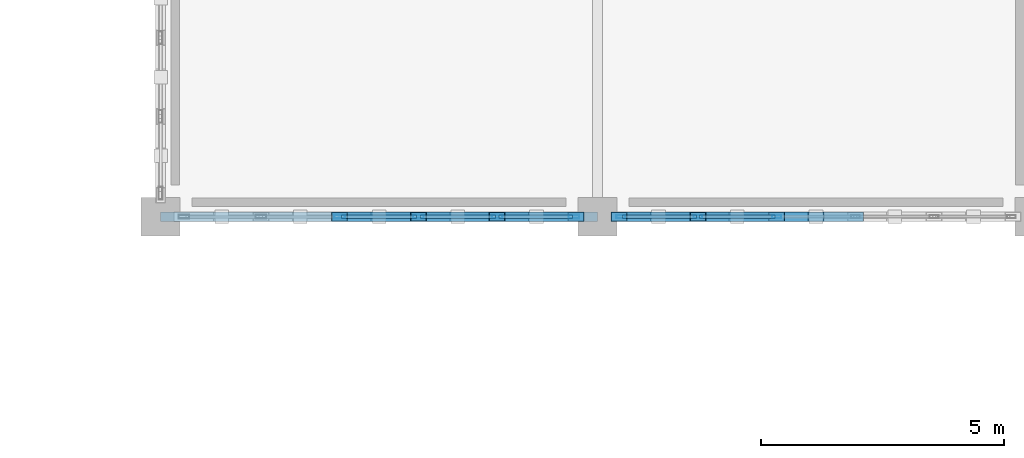
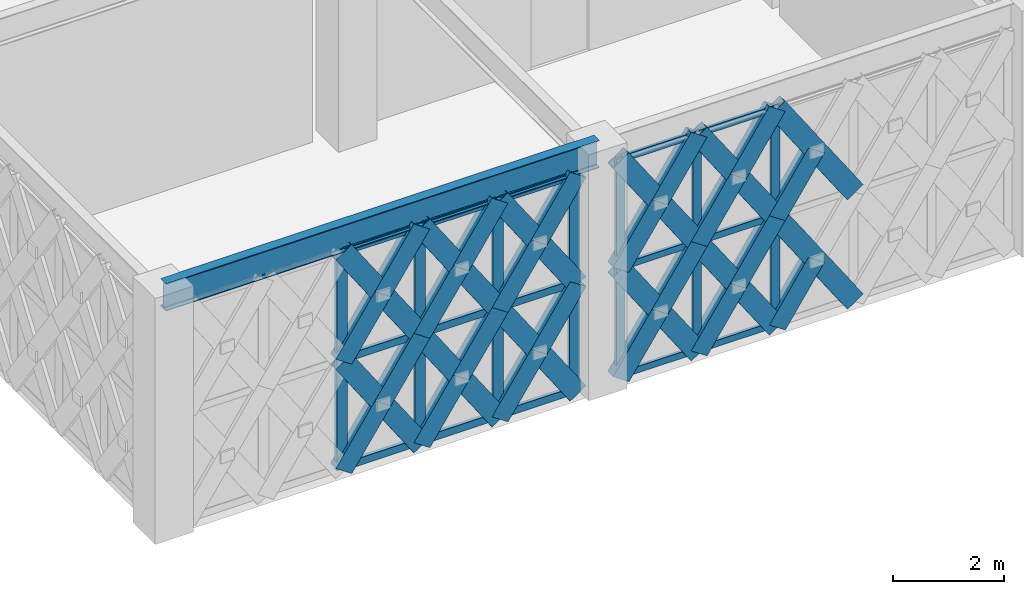
# One storey, part 10 of 86: 56 members, 1 beam, 2 elements without a shape of their own.
"""IFC4 building model written with IfcOpenShell, lengths in metres."""

from ifc_helpers import new_model, si_unit, direction, frame, origin, origin_2d, place, context, subcontext, project, spatial, hollow_rectangle, i_section, extrude, material, material_profile, profile_set, type_object, element, aggregate, save


model = new_model("IFC4")

# Units and contexts
model_context = context("Model", 3, precision=1e-05, world=origin(), true_north=direction((0.0, 1.0)))
body_context = subcontext(model_context, "Body", "Model", "MODEL_VIEW")
ifc_project = project(units=[si_unit("LENGTHUNIT", "METRE"), si_unit("AREAUNIT", "SQUARE_METRE"), si_unit("VOLUMEUNIT", "CUBIC_METRE"), si_unit("PLANEANGLEUNIT", "RADIAN"), si_unit("MASSUNIT", "GRAM", prefix="KILO")], contexts=[model_context])

# Site, building, storey
site_placement = place(None, origin())
site = spatial("IfcSite", under=ifc_project, at=site_placement, CompositionType="ELEMENT")
building_placement = place(site_placement, origin())
building = spatial("IfcBuilding", under=site, at=building_placement, Name="Haizhuo Lancet Aquarium", CompositionType="ELEMENT")
storey_placement = place(building_placement, frame((0.0, 0.0, 16.199951171875)))
storey = spatial("IfcBuildingStorey", under=building, at=storey_placement, Name="L03", CompositionType="ELEMENT", Elevation=16.199951171875)

# Beam
ifc_material_1 = material(Name="Steel S355", Category="steel")
ifc_material_profile_1 = material_profile(ifc_material_1, i_section(OverallWidth=0.199951171875, OverallDepth=0.60009765625, WebThickness=0.010986328125, FlangeThickness=0.01708984375, FilletRadius=0.02197265625, at=origin_2d()), Name="HN 600x200x11x17")
ifc_profile_set_1 = profile_set([ifc_material_profile_1], Name="Steel S355")
beam_type = type_object("IfcBeamType", Name="BM-ST-HN600", PredefinedType="BEAM", material=ifc_profile_set_1)
beam_placement = place(storey_placement, frame((-54.0, -36.0, 5.10009765625), z_axis=(1.0, 0.0, 0.0), x_axis=(0.0, 1.0, 0.0)))
element("IfcBeam", 1, at=beam_placement, inside=storey, type_object=beam_type, Name="L03 V6 primary girder BM-L03-V6-015", PredefinedType="BEAM", context=body_context, shape_type="SweptSolid", body=[
    extrude(i_section(OverallWidth=0.199951171875, OverallDepth=0.60009765625, WebThickness=0.010986328125, FlangeThickness=0.01708984375, FilletRadius=0.02197265625, at=origin_2d()), origin(), (0.0, 0.0, 1.0), 9.0),
])

# Curtain wall, members
ifc_material_2 = material(Name="Aluminium 6063-T6", Category="aluminium")
curtain_wall_type = type_object("IfcCurtainWallType", Name="CWD-8110x4800", PredefinedType="NOTDEFINED", material=ifc_material_2)
curtain_wall_1_placement = place(storey_placement, origin())
curtain_wall_1 = element("IfcCurtainWall", 2, at=curtain_wall_1_placement, inside=storey, type_object=curtain_wall_type, Name="L03 curtain wall CW-V6-L03-238", PredefinedType="NOTDEFINED")
ifc_material_profile_2 = material_profile(ifc_material_2, hollow_rectangle(XDim=0.06494140625, YDim=0.179931640625, WallThickness=0.00390625, at=origin_2d()), Name="ALU-M 65x180x4")
ifc_profile_set_2 = profile_set([ifc_material_profile_2], Name="Aluminium 6063-T6")
member_type_1 = type_object("IfcMemberType", Name="CW-MUL-1", PredefinedType="MULLION", material=ifc_profile_set_2)
member_1_placement = place(storey_placement, frame((-41.31103515625, -36.0, 0.0), z_axis=(0.0, 0.0, 1.0), x_axis=(0.0, -1.0, 0.0)))
member_1 = element("IfcMember", 3, at=member_1_placement, type_object=member_type_1, Name="CWD-81x48 mullion 4", PredefinedType="MULLION", context=body_context, shape_type="SweptSolid", body=[
    extrude(hollow_rectangle(XDim=0.06494140625, YDim=0.179931640625, WallThickness=0.00390625, at=origin_2d()), origin(), (0.0, 0.0, 1.0), 4.800048828125),
])
member_2_placement = place(storey_placement, frame((-42.93310546875, -36.0, 0.0), z_axis=(0.0, 0.0, 1.0), x_axis=(0.0, -1.0, 0.0)))
member_2 = element("IfcMember", 4, at=member_2_placement, type_object=member_type_1, Name="CWD-81x48 mullion 5", PredefinedType="MULLION", context=body_context, shape_type="SweptSolid", body=[
    extrude(hollow_rectangle(XDim=0.06494140625, YDim=0.179931640625, WallThickness=0.00390625, at=origin_2d()), origin(), (0.0, 0.0, 1.0), 4.800048828125),
])
member_3_placement = place(storey_placement, frame((-44.52294921875, -36.0, 0.0), z_axis=(0.0, 0.0, 1.0), x_axis=(0.0, -1.0, 0.0)))
member_3 = element("IfcMember", 5, at=member_3_placement, type_object=member_type_1, Name="CWD-81x48 mullion 6", PredefinedType="MULLION", context=body_context, shape_type="SweptSolid", body=[
    extrude(hollow_rectangle(XDim=0.06494140625, YDim=0.179931640625, WallThickness=0.00390625, at=origin_2d()), origin(), (0.0, 0.0, 1.0), 4.800048828125),
])

curtain_wall_2_placement = place(storey_placement, origin())
curtain_wall_2 = element("IfcCurtainWall", 6, at=curtain_wall_2_placement, inside=storey, type_object=curtain_wall_type, Name="L03 curtain wall CW-V6-L03-239", PredefinedType="NOTDEFINED")
ifc_material_profile_3 = material_profile(ifc_material_2, hollow_rectangle(XDim=0.074951171875, YDim=0.219970703125, WallThickness=0.0048828125, at=origin_2d()), Name="ALU-M 75x220x5")
ifc_profile_set_3 = profile_set([ifc_material_profile_3], Name="Aluminium 6063-T6")
member_type_2 = type_object("IfcMemberType", Name="CW-MUL-2", PredefinedType="MULLION", material=ifc_profile_set_3)
member_4_placement = place(storey_placement, frame((-45.48291015625, -36.0, 0.0), z_axis=(0.0, 0.0, 1.0), x_axis=(0.0, -1.0, 0.0)))
member_4 = element("IfcMember", 7, at=member_4_placement, type_object=member_type_2, Name="CWD-81x48 mullion 1", PredefinedType="MULLION", context=body_context, shape_type="SweptSolid", body=[
    extrude(hollow_rectangle(XDim=0.074951171875, YDim=0.219970703125, WallThickness=0.0048828125, at=origin_2d()), origin(), (0.0, 0.0, 1.0), 4.800048828125),
])
member_5_placement = place(storey_placement, frame((-47.06689453125, -36.0, 0.0), z_axis=(0.0, 0.0, 1.0), x_axis=(0.0, -1.0, 0.0)))
member_5 = element("IfcMember", 8, at=member_5_placement, type_object=member_type_2, Name="CWD-81x48 mullion 2", PredefinedType="MULLION", context=body_context, shape_type="SweptSolid", body=[
    extrude(hollow_rectangle(XDim=0.074951171875, YDim=0.219970703125, WallThickness=0.0048828125, at=origin_2d()), origin(), (0.0, 0.0, 1.0), 4.800048828125),
])
member_6_placement = place(storey_placement, frame((-48.68896484375, -36.0, 0.0), z_axis=(0.0, 0.0, 1.0), x_axis=(0.0, -1.0, 0.0)))
member_6 = element("IfcMember", 9, at=member_6_placement, type_object=member_type_2, Name="CWD-81x48 mullion 3", PredefinedType="MULLION", context=body_context, shape_type="SweptSolid", body=[
    extrude(hollow_rectangle(XDim=0.074951171875, YDim=0.219970703125, WallThickness=0.0048828125, at=origin_2d()), origin(), (0.0, 0.0, 1.0), 4.800048828125),
])
member_7_placement = place(storey_placement, frame((-50.31103515625, -36.0, 0.0), z_axis=(0.0, 0.0, 1.0), x_axis=(0.0, -1.0, 0.0)))
member_7 = element("IfcMember", 10, at=member_7_placement, type_object=member_type_2, Name="CWD-81x48 mullion 4", PredefinedType="MULLION", context=body_context, shape_type="SweptSolid", body=[
    extrude(hollow_rectangle(XDim=0.074951171875, YDim=0.219970703125, WallThickness=0.0048828125, at=origin_2d()), origin(), (0.0, 0.0, 1.0), 4.800048828125),
])

# Member
ifc_material_profile_4 = material_profile(ifc_material_2, hollow_rectangle(XDim=0.06494140625, YDim=0.139892578125, WallThickness=0.00390625, at=origin_2d()), Name="ALU-T 65x140x4")
ifc_profile_set_4 = profile_set([ifc_material_profile_4], Name="Aluminium 6063-T6")
member_type_3 = type_object("IfcMemberType", Name="CW-TRN-1", PredefinedType="NOTDEFINED", material=ifc_profile_set_4)
member_8_placement = place(storey_placement, frame((-41.343017578125, -36.0, 0.031982421875), z_axis=(-1.0, 0.0, 0.0), x_axis=(0.0, -1.0, 0.0)))
member_8 = element("IfcMember", 11, at=member_8_placement, type_object=member_type_3, Name="CWD-81x48 transom 4.1", ObjectType="TRANSOM", PredefinedType="USERDEFINED", context=body_context, shape_type="SweptSolid", body=[
    extrude(hollow_rectangle(XDim=0.06494140625, YDim=0.139892578125, WallThickness=0.00390625, at=origin_2d()), origin(), (0.0, 0.0, 1.0), 1.557861328125),
])

member_9_placement = place(storey_placement, frame((-41.343017578125, -36.0, 2.400146484375), z_axis=(-1.0, 0.0, 0.0), x_axis=(0.0, -1.0, 0.0)))
member_9 = element("IfcMember", 12, at=member_9_placement, type_object=member_type_3, Name="CWD-81x48 transom 4.2", ObjectType="TRANSOM", PredefinedType="USERDEFINED", context=body_context, shape_type="SweptSolid", body=[
    extrude(hollow_rectangle(XDim=0.06494140625, YDim=0.139892578125, WallThickness=0.00390625, at=origin_2d()), origin(), (0.0, 0.0, 1.0), 1.557861328125),
])

member_10_placement = place(storey_placement, frame((-41.343017578125, -36.0, 4.76806640625), z_axis=(-1.0, 0.0, 0.0), x_axis=(0.0, -1.0, 0.0)))
member_10 = element("IfcMember", 13, at=member_10_placement, type_object=member_type_3, Name="CWD-81x48 transom 4.3", ObjectType="TRANSOM", PredefinedType="USERDEFINED", context=body_context, shape_type="SweptSolid", body=[
    extrude(hollow_rectangle(XDim=0.06494140625, YDim=0.139892578125, WallThickness=0.00390625, at=origin_2d()), origin(), (0.0, 0.0, 1.0), 1.557861328125),
])

member_11_placement = place(storey_placement, frame((-42.965087890625, -36.0, 0.031982421875), z_axis=(-1.0, 0.0, 0.0), x_axis=(0.0, -1.0, 0.0)))
member_11 = element("IfcMember", 14, at=member_11_placement, type_object=member_type_3, Name="CWD-81x48 transom 5.1", ObjectType="TRANSOM", PredefinedType="USERDEFINED", context=body_context, shape_type="SweptSolid", body=[
    extrude(hollow_rectangle(XDim=0.06494140625, YDim=0.139892578125, WallThickness=0.00390625, at=origin_2d()), origin(), (0.0, 0.0, 1.0), 1.52490234375),
])

member_12_placement = place(storey_placement, frame((-42.965087890625, -36.0, 2.400146484375), z_axis=(-1.0, 0.0, 0.0), x_axis=(0.0, -1.0, 0.0)))
member_12 = element("IfcMember", 15, at=member_12_placement, type_object=member_type_3, Name="CWD-81x48 transom 5.2", ObjectType="TRANSOM", PredefinedType="USERDEFINED", context=body_context, shape_type="SweptSolid", body=[
    extrude(hollow_rectangle(XDim=0.06494140625, YDim=0.139892578125, WallThickness=0.00390625, at=origin_2d()), origin(), (0.0, 0.0, 1.0), 1.52490234375),
])

member_13_placement = place(storey_placement, frame((-42.965087890625, -36.0, 4.76806640625), z_axis=(-1.0, 0.0, 0.0), x_axis=(0.0, -1.0, 0.0)))
member_13 = element("IfcMember", 16, at=member_13_placement, type_object=member_type_3, Name="CWD-81x48 transom 5.3", ObjectType="TRANSOM", PredefinedType="USERDEFINED", context=body_context, shape_type="SweptSolid", body=[
    extrude(hollow_rectangle(XDim=0.06494140625, YDim=0.139892578125, WallThickness=0.00390625, at=origin_2d()), origin(), (0.0, 0.0, 1.0), 1.52490234375),
])

aggregate(curtain_wall_1, [member_1, member_2, member_3, member_8, member_9, member_10, member_11, member_12, member_13])

ifc_material_profile_5 = material_profile(ifc_material_2, hollow_rectangle(XDim=0.074951171875, YDim=0.159912109375, WallThickness=0.00390625, at=origin_2d()), Name="ALU-T 75x160x4")
ifc_profile_set_5 = profile_set([ifc_material_profile_5], Name="Aluminium 6063-T6")
member_type_4 = type_object("IfcMemberType", Name="CW-TRN-2", PredefinedType="NOTDEFINED", material=ifc_profile_set_5)
member_14_placement = place(storey_placement, frame((-45.52001953125, -36.0, 0.0380859375), z_axis=(-1.0, 0.0, 0.0), x_axis=(0.0, -1.0, 0.0)))
member_14 = element("IfcMember", 17, at=member_14_placement, type_object=member_type_4, Name="CWD-81x48 transom 1.1", ObjectType="TRANSOM", PredefinedType="USERDEFINED", context=body_context, shape_type="SweptSolid", body=[
    extrude(hollow_rectangle(XDim=0.074951171875, YDim=0.159912109375, WallThickness=0.00390625, at=origin_2d()), origin(), (0.0, 0.0, 1.0), 1.509033203125),
])

member_15_placement = place(storey_placement, frame((-45.52001953125, -36.0, 2.400146484375), z_axis=(-1.0, 0.0, 0.0), x_axis=(0.0, -1.0, 0.0)))
member_15 = element("IfcMember", 18, at=member_15_placement, type_object=member_type_4, Name="CWD-81x48 transom 1.2", ObjectType="TRANSOM", PredefinedType="USERDEFINED", context=body_context, shape_type="SweptSolid", body=[
    extrude(hollow_rectangle(XDim=0.074951171875, YDim=0.159912109375, WallThickness=0.00390625, at=origin_2d()), origin(), (0.0, 0.0, 1.0), 1.509033203125),
])

member_16_placement = place(storey_placement, frame((-45.52001953125, -36.0, 4.761962890625), z_axis=(-1.0, 0.0, 0.0), x_axis=(0.0, -1.0, 0.0)))
member_16 = element("IfcMember", 19, at=member_16_placement, type_object=member_type_4, Name="CWD-81x48 transom 1.3", ObjectType="TRANSOM", PredefinedType="USERDEFINED", context=body_context, shape_type="SweptSolid", body=[
    extrude(hollow_rectangle(XDim=0.074951171875, YDim=0.159912109375, WallThickness=0.00390625, at=origin_2d()), origin(), (0.0, 0.0, 1.0), 1.509033203125),
])

member_17_placement = place(storey_placement, frame((-47.10498046875, -36.0, 0.0380859375), z_axis=(-1.0, 0.0, 0.0), x_axis=(0.0, -1.0, 0.0)))
member_17 = element("IfcMember", 20, at=member_17_placement, type_object=member_type_4, Name="CWD-81x48 transom 2.1", ObjectType="TRANSOM", PredefinedType="USERDEFINED", context=body_context, shape_type="SweptSolid", body=[
    extrude(hollow_rectangle(XDim=0.074951171875, YDim=0.159912109375, WallThickness=0.00390625, at=origin_2d()), origin(), (0.0, 0.0, 1.0), 1.5458984375),
])

member_18_placement = place(storey_placement, frame((-47.10498046875, -36.0, 2.400146484375), z_axis=(-1.0, 0.0, 0.0), x_axis=(0.0, -1.0, 0.0)))
member_18 = element("IfcMember", 21, at=member_18_placement, type_object=member_type_4, Name="CWD-81x48 transom 2.2", ObjectType="TRANSOM", PredefinedType="USERDEFINED", context=body_context, shape_type="SweptSolid", body=[
    extrude(hollow_rectangle(XDim=0.074951171875, YDim=0.159912109375, WallThickness=0.00390625, at=origin_2d()), origin(), (0.0, 0.0, 1.0), 1.5458984375),
])

member_19_placement = place(storey_placement, frame((-47.10498046875, -36.0, 4.761962890625), z_axis=(-1.0, 0.0, 0.0), x_axis=(0.0, -1.0, 0.0)))
member_19 = element("IfcMember", 22, at=member_19_placement, type_object=member_type_4, Name="CWD-81x48 transom 2.3", ObjectType="TRANSOM", PredefinedType="USERDEFINED", context=body_context, shape_type="SweptSolid", body=[
    extrude(hollow_rectangle(XDim=0.074951171875, YDim=0.159912109375, WallThickness=0.00390625, at=origin_2d()), origin(), (0.0, 0.0, 1.0), 1.5458984375),
])

member_20_placement = place(storey_placement, frame((-48.72705078125, -36.0, 0.0380859375), z_axis=(-1.0, 0.0, 0.0), x_axis=(0.0, -1.0, 0.0)))
member_20 = element("IfcMember", 23, at=member_20_placement, type_object=member_type_4, Name="CWD-81x48 transom 3.1", ObjectType="TRANSOM", PredefinedType="USERDEFINED", context=body_context, shape_type="SweptSolid", body=[
    extrude(hollow_rectangle(XDim=0.074951171875, YDim=0.159912109375, WallThickness=0.00390625, at=origin_2d()), origin(), (0.0, 0.0, 1.0), 1.5458984375),
])

member_21_placement = place(storey_placement, frame((-48.72705078125, -36.0, 2.400146484375), z_axis=(-1.0, 0.0, 0.0), x_axis=(0.0, -1.0, 0.0)))
member_21 = element("IfcMember", 24, at=member_21_placement, type_object=member_type_4, Name="CWD-81x48 transom 3.2", ObjectType="TRANSOM", PredefinedType="USERDEFINED", context=body_context, shape_type="SweptSolid", body=[
    extrude(hollow_rectangle(XDim=0.074951171875, YDim=0.159912109375, WallThickness=0.00390625, at=origin_2d()), origin(), (0.0, 0.0, 1.0), 1.5458984375),
])

member_22_placement = place(storey_placement, frame((-48.72705078125, -36.0, 4.761962890625), z_axis=(-1.0, 0.0, 0.0), x_axis=(0.0, -1.0, 0.0)))
member_22 = element("IfcMember", 25, at=member_22_placement, type_object=member_type_4, Name="CWD-81x48 transom 3.3", ObjectType="TRANSOM", PredefinedType="USERDEFINED", context=body_context, shape_type="SweptSolid", body=[
    extrude(hollow_rectangle(XDim=0.074951171875, YDim=0.159912109375, WallThickness=0.00390625, at=origin_2d()), origin(), (0.0, 0.0, 1.0), 1.5458984375),
])

aggregate(curtain_wall_2, [member_4, member_5, member_6, member_7, member_14, member_15, member_16, member_17, member_18, member_19, member_20, member_21, member_22])

# Members
ifc_material_profile_6 = material_profile(ifc_material_1, hollow_rectangle(XDim=0.199951171875, YDim=0.39990234375, WallThickness=0.011962890625, at=origin_2d()), Name="RHS 200x400x12")
ifc_profile_set_6 = profile_set([ifc_material_profile_6], Name="Steel S355")
member_type_5 = type_object("IfcMemberType", Name="MEM-LB-RHS200x400", PredefinedType="BRACE", material=ifc_profile_set_6)
member_23_placement = place(storey_placement, frame((-39.68896484375, -36.0, 0.0), z_axis=(-0.5599402913, 0.0, 0.828532962639), x_axis=(0.0, -1.0, 0.0)))
element("IfcMember", 26, at=member_23_placement, inside=storey, type_object=member_type_5, Name="Gothic lancet continuous diagonal brace CW-V6-L03-238 5A", PredefinedType="BRACE", context=body_context, shape_type="SweptSolid", body=[
    extrude(hollow_rectangle(XDim=0.199951171875, YDim=0.39990234375, WallThickness=0.011962890625, at=origin_2d()), origin(), (0.0, 0.0, 1.0), 2.89697265625),
])
member_24_placement = place(storey_placement, frame((-41.31103515625, -36.0, 0.0), z_axis=(0.559979392223, 0.0, 0.828506536055), x_axis=(0.0, 1.0, 0.0)))
element("IfcMember", 27, at=member_24_placement, inside=storey, type_object=member_type_5, Name="Gothic lancet split diagonal brace CW-V6-L03-238 5B1", PredefinedType="BRACE", context=body_context, shape_type="SweptSolid", body=[
    extrude(hollow_rectangle(XDim=0.199951171875, YDim=0.39990234375, WallThickness=0.011962890625, at=origin_2d()), origin(), (0.0, 0.0, 1.0), 1.4482421875),
])
member_25_placement = place(storey_placement, frame((-39.68896484375, -36.0, 2.400146484375), z_axis=(-0.559979392223, 0.0, 0.828506536055), x_axis=(0.0, -1.0, 0.0)))
element("IfcMember", 28, at=member_25_placement, inside=storey, type_object=member_type_5, Name="Gothic lancet continuous diagonal brace CW-V6-L03-238 6A", PredefinedType="BRACE", context=body_context, shape_type="SweptSolid", body=[
    extrude(hollow_rectangle(XDim=0.199951171875, YDim=0.39990234375, WallThickness=0.011962890625, at=origin_2d()), origin(), (0.0, 0.0, 1.0), 2.896728515625),
])
member_26_placement = place(storey_placement, frame((-41.31103515625, -36.0, 2.400146484375), z_axis=(0.559979392223, 0.0, 0.828506536055), x_axis=(0.0, 1.0, 0.0)))
element("IfcMember", 29, at=member_26_placement, inside=storey, type_object=member_type_5, Name="Gothic lancet split diagonal brace CW-V6-L03-238 6B1", PredefinedType="BRACE", context=body_context, shape_type="SweptSolid", body=[
    extrude(hollow_rectangle(XDim=0.199951171875, YDim=0.39990234375, WallThickness=0.011962890625, at=origin_2d()), origin(), (0.0, 0.0, 1.0), 1.4482421875),
])
member_27_placement = place(storey_placement, frame((-41.31103515625, -36.0, 0.0), z_axis=(-0.5599402913, 0.0, 0.828532962639), x_axis=(0.0, -1.0, 0.0)))
element("IfcMember", 30, at=member_27_placement, inside=storey, type_object=member_type_5, Name="Gothic lancet continuous diagonal brace CW-V6-L03-238 7A", PredefinedType="BRACE", context=body_context, shape_type="SweptSolid", body=[
    extrude(hollow_rectangle(XDim=0.199951171875, YDim=0.39990234375, WallThickness=0.011962890625, at=origin_2d()), origin(), (0.0, 0.0, 1.0), 2.89697265625),
])
member_28_placement = place(storey_placement, frame((-42.93310546875, -36.0, 0.0), z_axis=(0.559979392223, 0.0, 0.828506536055), x_axis=(0.0, 1.0, 0.0)))
element("IfcMember", 31, at=member_28_placement, inside=storey, type_object=member_type_5, Name="Gothic lancet split diagonal brace CW-V6-L03-238 7B1", PredefinedType="BRACE", context=body_context, shape_type="SweptSolid", body=[
    extrude(hollow_rectangle(XDim=0.199951171875, YDim=0.39990234375, WallThickness=0.011962890625, at=origin_2d()), origin(), (0.0, 0.0, 1.0), 1.4482421875),
])
member_29_placement = place(storey_placement, frame((-42.1220703125, -36.0, 1.199951171875), z_axis=(0.559901194591, 0.0, 0.828559383687), x_axis=(0.0, 1.0, 0.0)))
element("IfcMember", 32, at=member_29_placement, inside=storey, type_object=member_type_5, Name="Gothic lancet split diagonal brace CW-V6-L03-238 7B2", PredefinedType="BRACE", context=body_context, shape_type="SweptSolid", body=[
    extrude(hollow_rectangle(XDim=0.199951171875, YDim=0.39990234375, WallThickness=0.011962890625, at=origin_2d()), origin(), (0.0, 0.0, 1.0), 1.448486328125),
])
member_30_placement = place(storey_placement, frame((-41.31103515625, -36.0, 2.400146484375), z_axis=(-0.559979392223, 0.0, 0.828506536055), x_axis=(0.0, -1.0, 0.0)))
element("IfcMember", 33, at=member_30_placement, inside=storey, type_object=member_type_5, Name="Gothic lancet continuous diagonal brace CW-V6-L03-238 8A", PredefinedType="BRACE", context=body_context, shape_type="SweptSolid", body=[
    extrude(hollow_rectangle(XDim=0.199951171875, YDim=0.39990234375, WallThickness=0.011962890625, at=origin_2d()), origin(), (0.0, 0.0, 1.0), 2.896728515625),
])
for number, where, z_axis, x_axis, name in (
    (34, (-42.93310546875, -36.0, 2.400146484375), (0.559979392223, 0.0, 0.828506536055), (0.0, 1.0, 0.0), "Gothic lancet split diagonal brace CW-V6-L03-238 8B1"),
    (35, (-42.1220703125, -36.0, 3.60009765625), (0.559979392223, 0.0, 0.828506536055), (0.0, 1.0, 0.0), "Gothic lancet split diagonal brace CW-V6-L03-238 8B2"),
):
    element("IfcMember", number, at=place(storey_placement, frame(where, z_axis=z_axis, x_axis=x_axis)), inside=storey, type_object=member_type_5, Name=name, PredefinedType="BRACE", context=body_context, shape_type="SweptSolid", body=[
        extrude(hollow_rectangle(XDim=0.199951171875, YDim=0.39990234375, WallThickness=0.011962890625, at=origin_2d()), origin(), (0.0, 0.0, 1.0), 1.4482421875),
    ])
member_31_placement = place(storey_placement, frame((-42.93310546875, -36.0, 0.0), z_axis=(-0.559882433433, 0.0, 0.82857206128), x_axis=(0.0, -1.0, 0.0)))
element("IfcMember", 36, at=member_31_placement, inside=storey, type_object=member_type_5, Name="Gothic lancet continuous diagonal brace CW-V6-L03-238 9A", PredefinedType="BRACE", context=body_context, shape_type="SweptSolid", body=[
    extrude(hollow_rectangle(XDim=0.199951171875, YDim=0.39990234375, WallThickness=0.011962890625, at=origin_2d()), origin(), (0.0, 0.0, 1.0), 2.896728515625),
])
member_32_placement = place(storey_placement, frame((-44.554931640625, -36.0, 0.0), z_axis=(0.559979392223, 0.0, 0.828506536055), x_axis=(0.0, 1.0, 0.0)))
element("IfcMember", 37, at=member_32_placement, inside=storey, type_object=member_type_5, Name="Gothic lancet split diagonal brace CW-V6-L03-238 9B1", PredefinedType="BRACE", context=body_context, shape_type="SweptSolid", body=[
    extrude(hollow_rectangle(XDim=0.199951171875, YDim=0.39990234375, WallThickness=0.011962890625, at=origin_2d()), origin(), (0.0, 0.0, 1.0), 1.4482421875),
])
member_33_placement = place(storey_placement, frame((-43.743896484375, -36.0, 1.199951171875), z_axis=(0.559785471368, 0.0, 0.82863757219), x_axis=(0.0, 1.0, 0.0)))
element("IfcMember", 38, at=member_33_placement, inside=storey, type_object=member_type_5, Name="Gothic lancet split diagonal brace CW-V6-L03-238 9B2", PredefinedType="BRACE", context=body_context, shape_type="SweptSolid", body=[
    extrude(hollow_rectangle(XDim=0.199951171875, YDim=0.39990234375, WallThickness=0.011962890625, at=origin_2d()), origin(), (0.0, 0.0, 1.0), 1.448486328125),
])
member_34_placement = place(storey_placement, frame((-42.93310546875, -36.0, 2.400146484375), z_axis=(-0.559921534006, 0.0, 0.82854563891), x_axis=(0.0, -1.0, 0.0)))
element("IfcMember", 39, at=member_34_placement, inside=storey, type_object=member_type_5, Name="Gothic lancet continuous diagonal brace CW-V6-L03-238 10A", PredefinedType="BRACE", context=body_context, shape_type="SweptSolid", body=[
    extrude(hollow_rectangle(XDim=0.199951171875, YDim=0.39990234375, WallThickness=0.011962890625, at=origin_2d()), origin(), (0.0, 0.0, 1.0), 2.896484375),
])
for number, where, z_axis, x_axis, name in (
    (40, (-44.554931640625, -36.0, 2.400146484375), (0.559979392223, 0.0, 0.828506536055), (0.0, 1.0, 0.0), "Gothic lancet split diagonal brace CW-V6-L03-238 10B1"),
    (41, (-43.743896484375, -36.0, 3.60009765625), (0.559863667597, 0.0, 0.828584741415), (0.0, 1.0, 0.0), "Gothic lancet split diagonal brace CW-V6-L03-238 10B2"),
):
    element("IfcMember", number, at=place(storey_placement, frame(where, z_axis=z_axis, x_axis=x_axis)), inside=storey, type_object=member_type_5, Name=name, PredefinedType="BRACE", context=body_context, shape_type="SweptSolid", body=[
        extrude(hollow_rectangle(XDim=0.199951171875, YDim=0.39990234375, WallThickness=0.011962890625, at=origin_2d()), origin(), (0.0, 0.0, 1.0), 1.4482421875),
    ])
member_35_placement = place(storey_placement, frame((-45.445068359375, -36.0, 0.0), z_axis=(-0.559882433433, 0.0, 0.82857206128), x_axis=(0.0, -1.0, 0.0)))
element("IfcMember", 42, at=member_35_placement, inside=storey, type_object=member_type_5, Name="Gothic lancet continuous diagonal brace CW-V6-L03-239 1A", PredefinedType="BRACE", context=body_context, shape_type="SweptSolid", body=[
    extrude(hollow_rectangle(XDim=0.199951171875, YDim=0.39990234375, WallThickness=0.011962890625, at=origin_2d()), origin(), (0.0, 0.0, 1.0), 2.896728515625),
])
member_36_placement = place(storey_placement, frame((-47.06689453125, -36.0, 0.0), z_axis=(0.559863667597, 0.0, 0.828584741415), x_axis=(0.0, 1.0, 0.0)))
element("IfcMember", 43, at=member_36_placement, inside=storey, type_object=member_type_5, Name="Gothic lancet split diagonal brace CW-V6-L03-239 1B1", PredefinedType="BRACE", context=body_context, shape_type="SweptSolid", body=[
    extrude(hollow_rectangle(XDim=0.199951171875, YDim=0.39990234375, WallThickness=0.011962890625, at=origin_2d()), origin(), (0.0, 0.0, 1.0), 1.4482421875),
])
member_37_placement = place(storey_placement, frame((-46.256103515625, -36.0, 1.199951171875), z_axis=(0.559901194591, 0.0, 0.828559383687), x_axis=(0.0, 1.0, 0.0)))
element("IfcMember", 44, at=member_37_placement, inside=storey, type_object=member_type_5, Name="Gothic lancet split diagonal brace CW-V6-L03-239 1B2", PredefinedType="BRACE", context=body_context, shape_type="SweptSolid", body=[
    extrude(hollow_rectangle(XDim=0.199951171875, YDim=0.39990234375, WallThickness=0.011962890625, at=origin_2d()), origin(), (0.0, 0.0, 1.0), 1.448486328125),
])
member_38_placement = place(storey_placement, frame((-45.445068359375, -36.0, 2.400146484375), z_axis=(-0.559921534006, 0.0, 0.82854563891), x_axis=(0.0, -1.0, 0.0)))
element("IfcMember", 45, at=member_38_placement, inside=storey, type_object=member_type_5, Name="Gothic lancet continuous diagonal brace CW-V6-L03-239 2A", PredefinedType="BRACE", context=body_context, shape_type="SweptSolid", body=[
    extrude(hollow_rectangle(XDim=0.199951171875, YDim=0.39990234375, WallThickness=0.011962890625, at=origin_2d()), origin(), (0.0, 0.0, 1.0), 2.896484375),
])
for number, where, z_axis, x_axis, name in (
    (46, (-47.06689453125, -36.0, 2.400146484375), (0.559863667597, 0.0, 0.828584741415), (0.0, 1.0, 0.0), "Gothic lancet split diagonal brace CW-V6-L03-239 2B1"),
    (47, (-46.256103515625, -36.0, 3.60009765625), (0.559979392223, 0.0, 0.828506536055), (0.0, 1.0, 0.0), "Gothic lancet split diagonal brace CW-V6-L03-239 2B2"),
):
    element("IfcMember", number, at=place(storey_placement, frame(where, z_axis=z_axis, x_axis=x_axis)), inside=storey, type_object=member_type_5, Name=name, PredefinedType="BRACE", context=body_context, shape_type="SweptSolid", body=[
        extrude(hollow_rectangle(XDim=0.199951171875, YDim=0.39990234375, WallThickness=0.011962890625, at=origin_2d()), origin(), (0.0, 0.0, 1.0), 1.4482421875),
    ])
member_39_placement = place(storey_placement, frame((-47.06689453125, -36.0, 0.0), z_axis=(-0.5599402913, 0.0, 0.828532962639), x_axis=(0.0, -1.0, 0.0)))
element("IfcMember", 48, at=member_39_placement, inside=storey, type_object=member_type_5, Name="Gothic lancet continuous diagonal brace CW-V6-L03-239 3A", PredefinedType="BRACE", context=body_context, shape_type="SweptSolid", body=[
    extrude(hollow_rectangle(XDim=0.199951171875, YDim=0.39990234375, WallThickness=0.011962890625, at=origin_2d()), origin(), (0.0, 0.0, 1.0), 2.89697265625),
])
member_40_placement = place(storey_placement, frame((-48.68896484375, -36.0, 0.0), z_axis=(0.559979392223, 0.0, 0.828506536055), x_axis=(0.0, 1.0, 0.0)))
element("IfcMember", 49, at=member_40_placement, inside=storey, type_object=member_type_5, Name="Gothic lancet split diagonal brace CW-V6-L03-239 3B1", PredefinedType="BRACE", context=body_context, shape_type="SweptSolid", body=[
    extrude(hollow_rectangle(XDim=0.199951171875, YDim=0.39990234375, WallThickness=0.011962890625, at=origin_2d()), origin(), (0.0, 0.0, 1.0), 1.4482421875),
])
member_41_placement = place(storey_placement, frame((-47.8779296875, -36.0, 1.199951171875), z_axis=(0.559901194591, 0.0, 0.828559383687), x_axis=(0.0, 1.0, 0.0)))
element("IfcMember", 50, at=member_41_placement, inside=storey, type_object=member_type_5, Name="Gothic lancet split diagonal brace CW-V6-L03-239 3B2", PredefinedType="BRACE", context=body_context, shape_type="SweptSolid", body=[
    extrude(hollow_rectangle(XDim=0.199951171875, YDim=0.39990234375, WallThickness=0.011962890625, at=origin_2d()), origin(), (0.0, 0.0, 1.0), 1.448486328125),
])
member_42_placement = place(storey_placement, frame((-47.06689453125, -36.0, 2.400146484375), z_axis=(-0.559979392223, 0.0, 0.828506536055), x_axis=(0.0, -1.0, 0.0)))
element("IfcMember", 51, at=member_42_placement, inside=storey, type_object=member_type_5, Name="Gothic lancet continuous diagonal brace CW-V6-L03-239 4A", PredefinedType="BRACE", context=body_context, shape_type="SweptSolid", body=[
    extrude(hollow_rectangle(XDim=0.199951171875, YDim=0.39990234375, WallThickness=0.011962890625, at=origin_2d()), origin(), (0.0, 0.0, 1.0), 2.896728515625),
])
for number, where, z_axis, x_axis, name in (
    (52, (-48.68896484375, -36.0, 2.400146484375), (0.559979392223, 0.0, 0.828506536055), (0.0, 1.0, 0.0), "Gothic lancet split diagonal brace CW-V6-L03-239 4B1"),
    (53, (-47.8779296875, -36.0, 3.60009765625), (0.559979392223, 0.0, 0.828506536055), (0.0, 1.0, 0.0), "Gothic lancet split diagonal brace CW-V6-L03-239 4B2"),
):
    element("IfcMember", number, at=place(storey_placement, frame(where, z_axis=z_axis, x_axis=x_axis)), inside=storey, type_object=member_type_5, Name=name, PredefinedType="BRACE", context=body_context, shape_type="SweptSolid", body=[
        extrude(hollow_rectangle(XDim=0.199951171875, YDim=0.39990234375, WallThickness=0.011962890625, at=origin_2d()), origin(), (0.0, 0.0, 1.0), 1.4482421875),
    ])
member_43_placement = place(storey_placement, frame((-48.68896484375, -36.0, 0.0), z_axis=(-0.5599402913, 0.0, 0.828532962639), x_axis=(0.0, -1.0, 0.0)))
element("IfcMember", 54, at=member_43_placement, inside=storey, type_object=member_type_5, Name="Gothic lancet continuous diagonal brace CW-V6-L03-239 5A", PredefinedType="BRACE", context=body_context, shape_type="SweptSolid", body=[
    extrude(hollow_rectangle(XDim=0.199951171875, YDim=0.39990234375, WallThickness=0.011962890625, at=origin_2d()), origin(), (0.0, 0.0, 1.0), 2.89697265625),
])
member_44_placement = place(storey_placement, frame((-50.31103515625, -36.0, 0.0), z_axis=(0.559979392223, 0.0, 0.828506536055), x_axis=(0.0, 1.0, 0.0)))
element("IfcMember", 55, at=member_44_placement, inside=storey, type_object=member_type_5, Name="Gothic lancet split diagonal brace CW-V6-L03-239 5B1", PredefinedType="BRACE", context=body_context, shape_type="SweptSolid", body=[
    extrude(hollow_rectangle(XDim=0.199951171875, YDim=0.39990234375, WallThickness=0.011962890625, at=origin_2d()), origin(), (0.0, 0.0, 1.0), 1.4482421875),
])
member_45_placement = place(storey_placement, frame((-49.5, -36.0, 1.199951171875), z_axis=(0.559901194591, 0.0, 0.828559383687), x_axis=(0.0, 1.0, 0.0)))
element("IfcMember", 56, at=member_45_placement, inside=storey, type_object=member_type_5, Name="Gothic lancet split diagonal brace CW-V6-L03-239 5B2", PredefinedType="BRACE", context=body_context, shape_type="SweptSolid", body=[
    extrude(hollow_rectangle(XDim=0.199951171875, YDim=0.39990234375, WallThickness=0.011962890625, at=origin_2d()), origin(), (0.0, 0.0, 1.0), 1.448486328125),
])
member_46_placement = place(storey_placement, frame((-48.68896484375, -36.0, 2.400146484375), z_axis=(-0.559979392223, 0.0, 0.828506536055), x_axis=(0.0, -1.0, 0.0)))
element("IfcMember", 57, at=member_46_placement, inside=storey, type_object=member_type_5, Name="Gothic lancet continuous diagonal brace CW-V6-L03-239 6A", PredefinedType="BRACE", context=body_context, shape_type="SweptSolid", body=[
    extrude(hollow_rectangle(XDim=0.199951171875, YDim=0.39990234375, WallThickness=0.011962890625, at=origin_2d()), origin(), (0.0, 0.0, 1.0), 2.896728515625),
])
for number, where, z_axis, x_axis, name in (
    (58, (-50.31103515625, -36.0, 2.400146484375), (0.559979392223, 0.0, 0.828506536055), (0.0, 1.0, 0.0), "Gothic lancet split diagonal brace CW-V6-L03-239 6B1"),
    (59, (-49.5, -36.0, 3.60009765625), (0.559979392223, 0.0, 0.828506536055), (0.0, 1.0, 0.0), "Gothic lancet split diagonal brace CW-V6-L03-239 6B2"),
):
    element("IfcMember", number, at=place(storey_placement, frame(where, z_axis=z_axis, x_axis=x_axis)), inside=storey, type_object=member_type_5, Name=name, PredefinedType="BRACE", context=body_context, shape_type="SweptSolid", body=[
        extrude(hollow_rectangle(XDim=0.199951171875, YDim=0.39990234375, WallThickness=0.011962890625, at=origin_2d()), origin(), (0.0, 0.0, 1.0), 1.4482421875),
    ])

save(model, "model.ifc")
